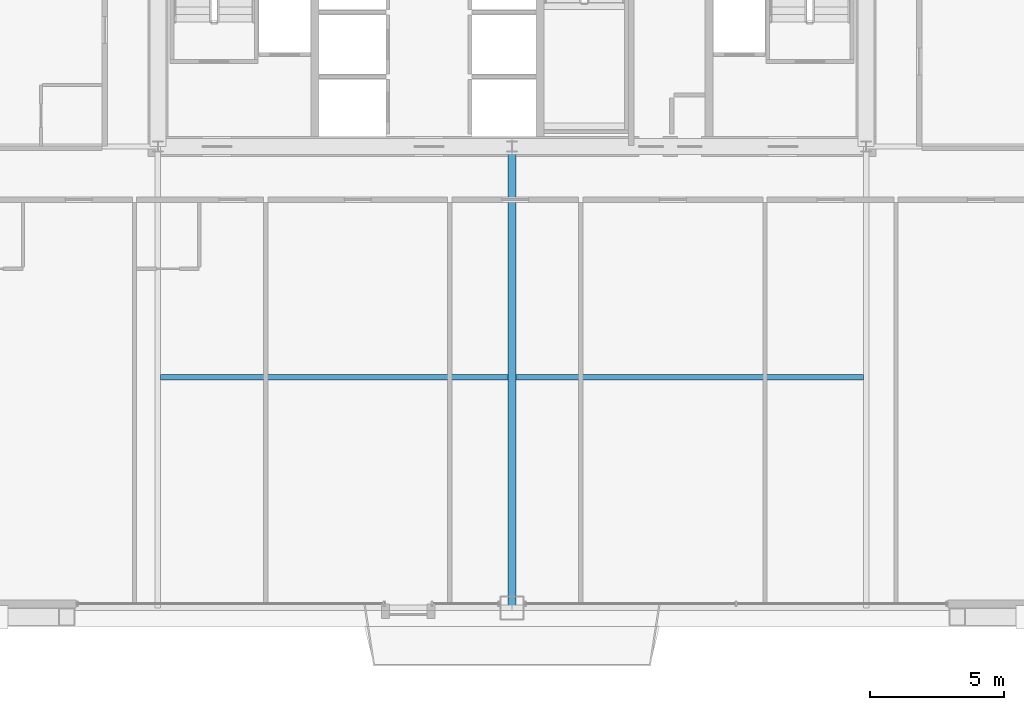
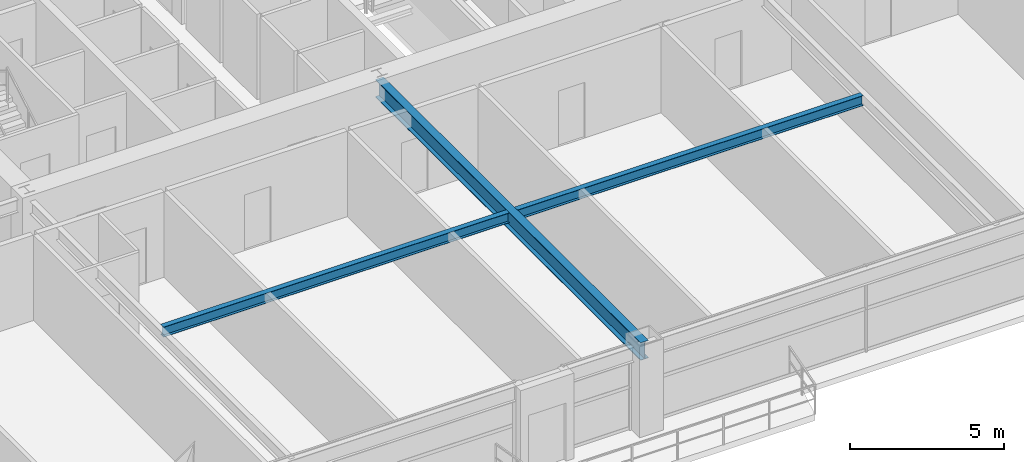
# One storey, part 9 of 43: 3 beams.
"""IFC4 building model written with IfcOpenShell, lengths in metres."""

from ifc_helpers import new_model, si_unit, direction, frame, origin, origin_2d, place, context, subcontext, project, spatial, i_section, extrude, source, transform, mapped, material, material_profile, profile_set, type_object, element, save


model = new_model("IFC4")

# Units and contexts
model_context = context("Model", 3, precision=1e-05, world=origin(), true_north=direction((0.0, 1.0)))
body_context = subcontext(model_context, "Body", "Model", "MODEL_VIEW")
ifc_project = project(units=[si_unit("LENGTHUNIT", "METRE"), si_unit("AREAUNIT", "SQUARE_METRE"), si_unit("VOLUMEUNIT", "CUBIC_METRE"), si_unit("PLANEANGLEUNIT", "RADIAN"), si_unit("MASSUNIT", "GRAM", prefix="KILO"), si_unit("THERMODYNAMICTEMPERATUREUNIT", "KELVIN"), si_unit("POWERUNIT", "WATT")], contexts=[model_context])

# Site, building, storey
site_placement = place(None, origin())
site = spatial("IfcSite", under=ifc_project, at=site_placement, CompositionType="ELEMENT")
building_placement = place(site_placement, origin())
building = spatial("IfcBuilding", under=site, at=building_placement, Name="Yuzanri Waterfront Tower", CompositionType="ELEMENT")
storey_placement = place(building_placement, frame((0.0, 0.0, 159.60009765625)))
storey = spatial("IfcBuildingStorey", under=building, at=storey_placement, Name="L42", CompositionType="ELEMENT", Elevation=159.60009765625)

# Beams
ifc_material_1 = material(Name="Steel Q355B", Category="steel")
ifc_material_profile_1 = material_profile(ifc_material_1, i_section(OverallWidth=0.199951171875, OverallDepth=0.39990234375, WebThickness=0.008056640625, FlangeThickness=0.012939453125, at=origin_2d()), Name="HN 400x200x8x13")
ifc_profile_set_1 = profile_set([ifc_material_profile_1], Name="Steel Q355B")
beam_type_1 = type_object("IfcBeamType", Name="Floor Joist Q355B HN 400x200", PredefinedType="JOIST", material=ifc_profile_set_1)
shared_shape_1 = source(origin(), body_context, "Body", "SweptSolid", [
    extrude(i_section(OverallWidth=0.199951171875, OverallDepth=0.39990234375, WebThickness=0.008056640625, FlangeThickness=0.012939453125, at=origin_2d()), origin(), (0.0, 0.0, 1.0), 12.9501953125),
])
for number, where, z_axis, x_axis, name in (
    (1, (23.89990234375, 10.800048828125, 3.179931640625), (1.0, 0.0, 0.0), (0.0, 1.0, 0.0), "L42 South Bay Joist W"),
    (2, (37.14990234375, 10.800048828125, 3.179931640625), (1.0, 0.0, 0.0), (0.0, 1.0, 0.0), "L42 South Bay Joist E"),
):
    element("IfcBeam", number, at=place(storey_placement, frame(where, z_axis=z_axis, x_axis=x_axis)), inside=storey, type_object=beam_type_1, Name=name, PredefinedType="JOIST", context=body_context, shape_type="MappedRepresentation", body=[
        mapped(shared_shape_1, transform((0.0, 0.0, 0.0), scale=1.0)),
    ])
ifc_material_2 = material(Name="Steel Q355B", Category="steel")
ifc_material_profile_2 = material_profile(ifc_material_2, i_section(OverallWidth=0.300048828125, OverallDepth=0.699951171875, WebThickness=0.012939453125, FlangeThickness=0.02392578125, at=origin_2d()), Name="HN 700x300x13x24")
ifc_profile_set_2 = profile_set([ifc_material_profile_2], Name="Steel Q355B")
beam_type_2 = type_object("IfcBeamType", Name="Primary Floor Girder Q355B HN 700x300", PredefinedType="BEAM", material=ifc_profile_set_2)
shared_shape_2 = source(origin(), body_context, "Body", "SweptSolid", [
    extrude(i_section(OverallWidth=0.300048828125, OverallDepth=0.699951171875, WebThickness=0.012939453125, FlangeThickness=0.02392578125, at=origin_2d()), origin(), (0.0, 0.0, 1.0), 17.199951171875),
])
beam_placement = place(storey_placement, frame((37.0, 19.39990234375, 3.02978515625), z_axis=(0.0, -1.0, 0.0), x_axis=(1.0, 0.0, 0.0)))
element("IfcBeam", 3, at=beam_placement, inside=storey, type_object=beam_type_2, Name="L42 South Grid Girder", PredefinedType="BEAM", context=body_context, shape_type="MappedRepresentation", body=[
    mapped(shared_shape_2, transform((0.0, 0.0, 0.0), scale=1.0)),
])

save(model, "model.ifc")
